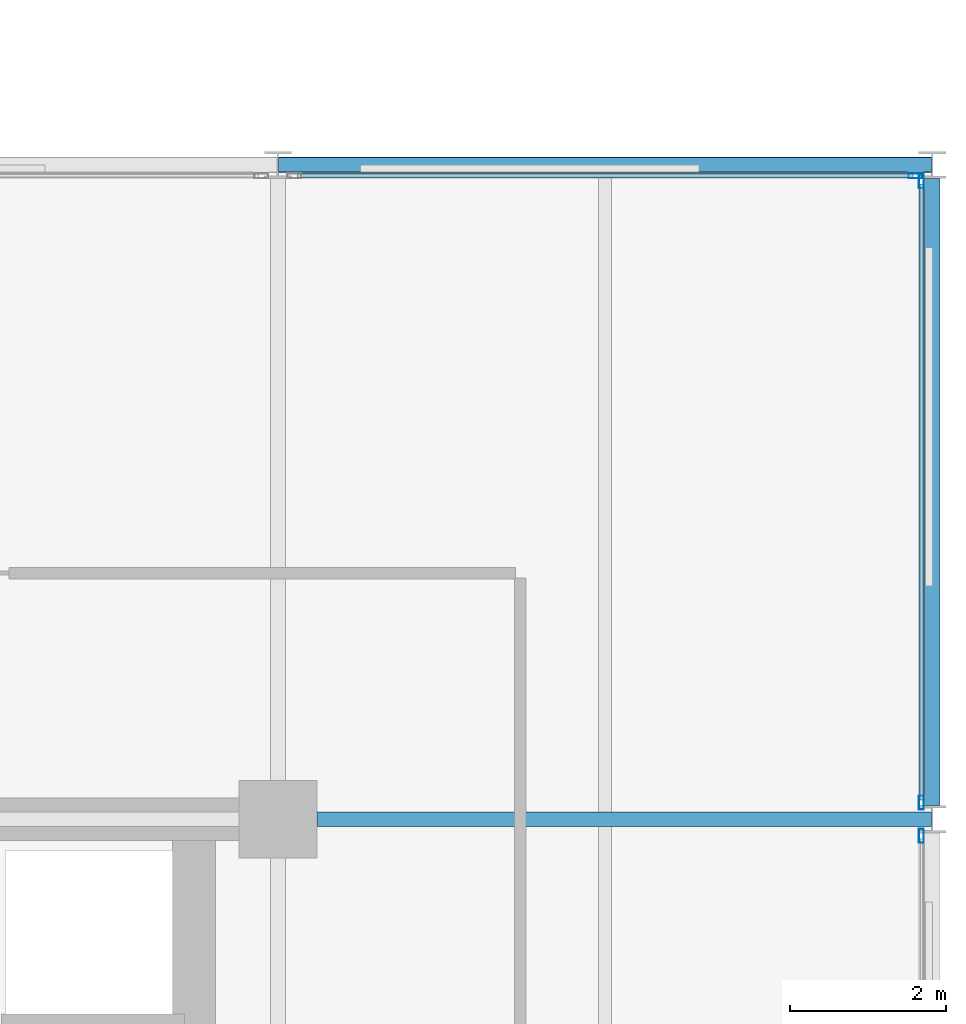
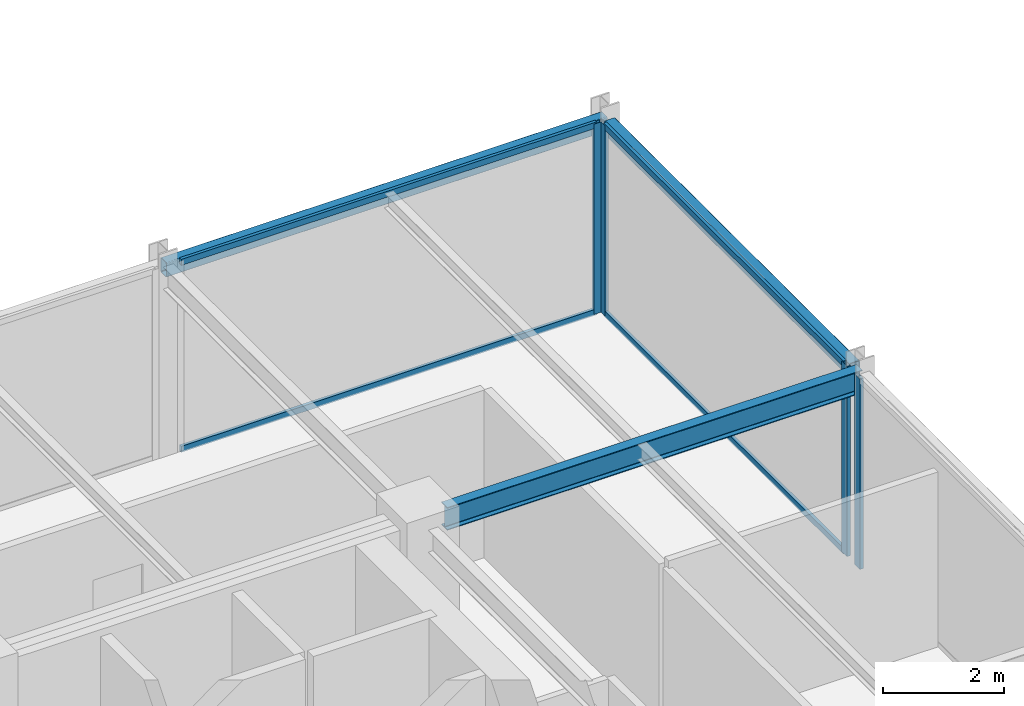
# One storey, part 16 of 29: 8 members, 3 beams, 3 elements without a shape of their own.
"""IFC4 building model written with IfcOpenShell, lengths in metres."""

from ifc_helpers import new_model, si_unit, direction, frame, origin, origin_2d, place, context, subcontext, project, spatial, hollow_rectangle, i_section, extrude, material, layer, layer_set, material_profile, profile_set, type_object, element, aggregate, save


model = new_model("IFC4")

# Units and contexts
model_context = context("Model", 3, precision=1e-05, world=origin(), true_north=direction((0.0, 1.0)))
body_context = subcontext(model_context, "Body", "Model", "MODEL_VIEW")
ifc_project = project(units=[si_unit("LENGTHUNIT", "METRE"), si_unit("AREAUNIT", "SQUARE_METRE"), si_unit("VOLUMEUNIT", "CUBIC_METRE"), si_unit("PLANEANGLEUNIT", "RADIAN"), si_unit("MASSUNIT", "GRAM", prefix="KILO")], contexts=[model_context])

# Site, building, storey
site_placement = place(None, origin())
site = spatial("IfcSite", under=ifc_project, at=site_placement, CompositionType="ELEMENT")
building_placement = place(site_placement, origin())
building = spatial("IfcBuilding", under=site, at=building_placement, Name="Nerrivon Quay Data Exchange", CompositionType="ELEMENT")
storey_placement = place(building_placement, frame((0.0, 0.0, 212.39990234375)))
storey = spatial("IfcBuildingStorey", under=building, at=storey_placement, Name="L50", CompositionType="ELEMENT", Elevation=212.39990234375)

# Beams
ifc_material_1 = material(Name="Steel Grade 350", Category="steel")
ifc_material_profile_1 = material_profile(ifc_material_1, i_section(OverallWidth=0.19091796875, OverallDepth=0.4599609375, WebThickness=0.010009765625, FlangeThickness=0.01611328125, FilletRadius=0.011474609375, at=origin_2d()), Name="460UB82.1")
ifc_profile_set_1 = profile_set([ifc_material_profile_1], Name="Steel Grade 350")
beam_type_1 = type_object("IfcBeamType", Name="BM-G5-460UB82", PredefinedType="BEAM", material=ifc_profile_set_1)
beam_1_placement = place(storey_placement, frame((34.10009765625, 16.800048828125, 3.59521484375), z_axis=(1.0, 0.0, 0.0), x_axis=(0.0, 1.0, 0.0)))
element("IfcBeam", 1, at=beam_1_placement, inside=storey, type_object=beam_type_1, Name="L50 EW Girder Y=16.8 (33.6..42.0)", PredefinedType="BEAM", context=body_context, shape_type="SweptSolid", body=[
    extrude(i_section(OverallWidth=0.19091796875, OverallDepth=0.4599609375, WebThickness=0.010009765625, FlangeThickness=0.01611328125, FilletRadius=0.011474609375, at=origin_2d()), origin(), (0.0, 0.0, 1.0), 7.889892578125),
])
ifc_material_2 = material(Name="Steel Grade C350L0 (350 MPa)", Category="steel")
ifc_material_profile_2 = material_profile(ifc_material_2, hollow_rectangle(XDim=0.199951171875, YDim=0.300048828125, WallThickness=0.012451171875, InnerFilletRadius=0.018798828125, OuterFilletRadius=0.03125, at=origin_2d()), Name="300x200x12.5RHS")
ifc_profile_set_2 = profile_set([ifc_material_profile_2], Name="Steel Grade C350L0 (350 MPa)")
beam_type_2 = type_object("IfcBeamType", Name="BM-SP3-300x200RHS", PredefinedType="SPANDREL", material=ifc_profile_set_2)
beam_2_placement = place(storey_placement, frame((33.610107421875, 25.199951171875, 3.675048828125), z_axis=(1.0, 0.0, 0.0), x_axis=(0.0, 1.0, 0.0)))
element("IfcBeam", 2, at=beam_2_placement, inside=storey, type_object=beam_type_2, Name="L50 EW Girder Y=25.2 (33.6..42.0)", PredefinedType="SPANDREL", context=body_context, shape_type="SweptSolid", body=[
    extrude(hollow_rectangle(XDim=0.199951171875, YDim=0.300048828125, WallThickness=0.012451171875, InnerFilletRadius=0.018798828125, OuterFilletRadius=0.03125, at=origin_2d()), origin(), (0.0, 0.0, 1.0), 8.3798828125),
])
beam_3_placement = place(storey_placement, frame((42.0, 16.97509765625, 3.675048828125), z_axis=(0.0, 1.0, 0.0), x_axis=(-1.0, 0.0, 0.0)))
element("IfcBeam", 3, at=beam_3_placement, inside=storey, type_object=beam_type_2, Name="L50 NS Girder X=42.0 (16.8..25.2)", PredefinedType="SPANDREL", context=body_context, shape_type="SweptSolid", body=[
    extrude(hollow_rectangle(XDim=0.199951171875, YDim=0.300048828125, WallThickness=0.012451171875, InnerFilletRadius=0.018798828125, OuterFilletRadius=0.03125, at=origin_2d()), origin(), (0.0, 0.0, 1.0), 8.0498046875),
])

# Curtain wall, member
ifc_material_3 = material(Name="Anodised aluminium 6063-T6", Category="aluminium")
ifc_layer = layer(ifc_material_3, 0.195068359375)
ifc_layer_set = layer_set([ifc_layer], Name="Anodised aluminium 6063-T6")
curtain_wall_type = type_object("IfcCurtainWallType", Name="CW-SYS-06", PredefinedType="NOTDEFINED", material=ifc_layer_set)
curtain_wall_1_placement = place(storey_placement, origin())
curtain_wall_1 = element("IfcCurtainWall", 4, at=curtain_wall_1_placement, inside=storey, type_object=curtain_wall_type, Name="L50 Unitised Curtain Wall 17", PredefinedType="NOTDEFINED")
ifc_material_profile_3 = material_profile(ifc_material_3, hollow_rectangle(XDim=0.06494140625, YDim=0.179931640625, WallThickness=0.00341796875, at=origin_2d()), Name="ALU-MULL-180x65")
ifc_profile_set_3 = profile_set([ifc_material_profile_3], Name="Anodised aluminium 6063-T6")
member_type_1 = type_object("IfcMemberType", Name="CWM-180x65", PredefinedType="MULLION", material=ifc_profile_set_3)
member_1_placement = place(storey_placement, frame((41.78759765625, 25.06005859375, 0.0), z_axis=(0.0, 0.0, 1.0), x_axis=(0.0, 1.0, 0.0)))
member_1 = element("IfcMember", 5, at=member_1_placement, type_object=member_type_1, Name="CW06 mullion 2", PredefinedType="MULLION", context=body_context, shape_type="SweptSolid", body=[
    extrude(hollow_rectangle(XDim=0.06494140625, YDim=0.179931640625, WallThickness=0.00341796875, at=origin_2d()), origin(), (0.0, 0.0, 1.0), 3.8251953125),
])

# Curtain wall, members
curtain_wall_2_placement = place(storey_placement, origin())
curtain_wall_2 = element("IfcCurtainWall", 6, at=curtain_wall_2_placement, inside=storey, type_object=curtain_wall_type, Name="L50 Unitised Curtain Wall 18", PredefinedType="NOTDEFINED")
member_2_placement = place(storey_placement, frame((41.860107421875, 24.987548828125, 0.0), z_axis=(0.0, 0.0, 1.0), x_axis=(1.0, 0.0, 0.0)))
member_2 = element("IfcMember", 7, at=member_2_placement, type_object=member_type_1, Name="CW06 mullion 1", PredefinedType="MULLION", context=body_context, shape_type="SweptSolid", body=[
    extrude(hollow_rectangle(XDim=0.06494140625, YDim=0.179931640625, WallThickness=0.00341796875, at=origin_2d()), origin(), (0.0, 0.0, 1.0), 3.8251953125),
])
member_3_placement = place(storey_placement, frame((41.860107421875, 17.012451171875, 0.0), z_axis=(0.0, 0.0, 1.0), x_axis=(1.0, 0.0, 0.0)))
member_3 = element("IfcMember", 8, at=member_3_placement, type_object=member_type_1, Name="CW06 mullion 2", PredefinedType="MULLION", context=body_context, shape_type="SweptSolid", body=[
    extrude(hollow_rectangle(XDim=0.06494140625, YDim=0.179931640625, WallThickness=0.00341796875, at=origin_2d()), origin(), (0.0, 0.0, 1.0), 3.8251953125),
])

# Curtain wall, member
curtain_wall_3_placement = place(storey_placement, origin())
curtain_wall_3 = element("IfcCurtainWall", 9, at=curtain_wall_3_placement, inside=storey, type_object=curtain_wall_type, Name="L50 Unitised Curtain Wall 19", PredefinedType="NOTDEFINED")
member_4_placement = place(storey_placement, frame((41.860107421875, 16.58740234375, 0.0), z_axis=(0.0, 0.0, 1.0), x_axis=(1.0, 0.0, 0.0)))
member_4 = element("IfcMember", 10, at=member_4_placement, type_object=member_type_1, Name="CW06 mullion 1", PredefinedType="MULLION", context=body_context, shape_type="SweptSolid", body=[
    extrude(hollow_rectangle(XDim=0.06494140625, YDim=0.179931640625, WallThickness=0.00341796875, at=origin_2d()), origin(), (0.0, 0.0, 1.0), 3.8251953125),
])
aggregate(curtain_wall_3, [member_4])

# Member
ifc_material_profile_4 = material_profile(ifc_material_3, hollow_rectangle(XDim=0.06005859375, YDim=0.1201171875, WallThickness=0.003173828125, at=origin_2d()), Name="ALU-TRAN-120x60")
ifc_profile_set_4 = profile_set([ifc_material_profile_4], Name="Anodised aluminium 6063-T6")
member_type_2 = type_object("IfcMemberType", Name="CWT-120x60", PredefinedType="USERDEFINED", material=ifc_profile_set_4)
member_5_placement = place(storey_placement, frame((33.85009765625, 25.06005859375, 0.03271484375), z_axis=(1.0, 0.0, 0.0), x_axis=(0.0, 1.0, 0.0)))
member_5 = element("IfcMember", 11, at=member_5_placement, type_object=member_type_2, Name="CW06 transom 1.1", ObjectType="TRANSOM", PredefinedType="USERDEFINED", context=body_context, shape_type="SweptSolid", body=[
    extrude(hollow_rectangle(XDim=0.06005859375, YDim=0.1201171875, WallThickness=0.003173828125, at=origin_2d()), origin(), (0.0, 0.0, 1.0), 7.89990234375),
])

member_6_placement = place(storey_placement, frame((33.85009765625, 25.06005859375, 3.79248046875), z_axis=(1.0, 0.0, 0.0), x_axis=(0.0, 1.0, 0.0)))
member_6 = element("IfcMember", 12, at=member_6_placement, type_object=member_type_2, Name="CW06 transom 1.2", ObjectType="TRANSOM", PredefinedType="USERDEFINED", context=body_context, shape_type="SweptSolid", body=[
    extrude(hollow_rectangle(XDim=0.06005859375, YDim=0.1201171875, WallThickness=0.003173828125, at=origin_2d()), origin(), (0.0, 0.0, 1.0), 7.89990234375),
])

aggregate(curtain_wall_1, [member_1, member_5, member_6])

member_7_placement = place(storey_placement, frame((41.860107421875, 24.949951171875, 0.03271484375), z_axis=(0.0, -1.0, 0.0), x_axis=(1.0, 0.0, 0.0)))
member_7 = element("IfcMember", 13, at=member_7_placement, type_object=member_type_2, Name="CW06 transom 1.1", ObjectType="TRANSOM", PredefinedType="USERDEFINED", context=body_context, shape_type="SweptSolid", body=[
    extrude(hollow_rectangle(XDim=0.06005859375, YDim=0.1201171875, WallThickness=0.003173828125, at=origin_2d()), origin(), (0.0, 0.0, 1.0), 7.89990234375),
])

member_8_placement = place(storey_placement, frame((41.860107421875, 24.949951171875, 3.79248046875), z_axis=(0.0, -1.0, 0.0), x_axis=(1.0, 0.0, 0.0)))
member_8 = element("IfcMember", 14, at=member_8_placement, type_object=member_type_2, Name="CW06 transom 1.2", ObjectType="TRANSOM", PredefinedType="USERDEFINED", context=body_context, shape_type="SweptSolid", body=[
    extrude(hollow_rectangle(XDim=0.06005859375, YDim=0.1201171875, WallThickness=0.003173828125, at=origin_2d()), origin(), (0.0, 0.0, 1.0), 7.89990234375),
])

aggregate(curtain_wall_2, [member_2, member_3, member_7, member_8])

save(model, "model.ifc")
